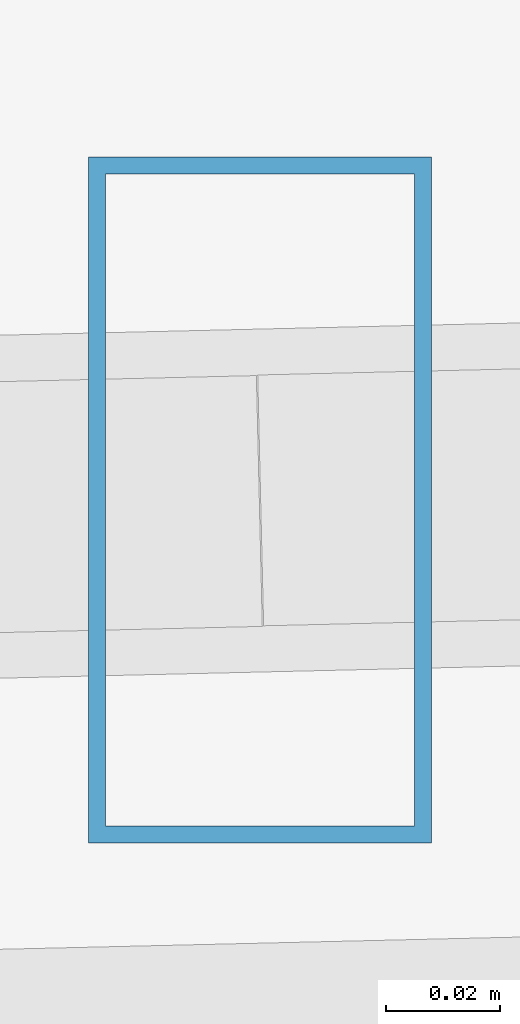
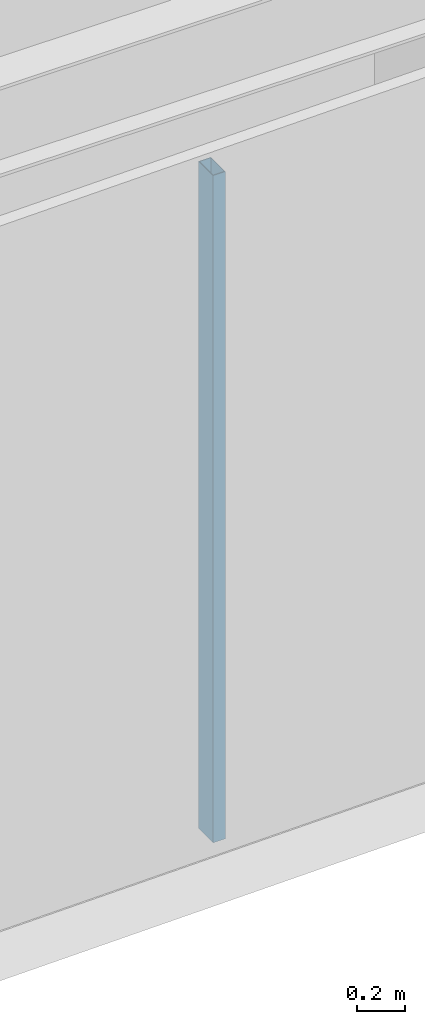
# One storey, part 13 of 47: 1 member, 1 element without a shape of its own.
"""IFC4 building model written with IfcOpenShell, lengths in metres."""

from ifc_helpers import new_model, si_unit, direction, frame, origin, origin_2d, place, context, subcontext, project, spatial, hollow_rectangle, extrude, source, transform, mapped, material, material_profile, profile_set, type_object, type_shapes, element, aggregate, save


model = new_model("IFC4")

# Units and contexts
model_context = context("Model", 3, precision=1e-05, world=origin(), true_north=direction((0.0, 1.0)))
body_context = subcontext(model_context, "Body", "Model", "MODEL_VIEW")
ifc_project = project(units=[si_unit("LENGTHUNIT", "METRE"), si_unit("AREAUNIT", "SQUARE_METRE"), si_unit("VOLUMEUNIT", "CUBIC_METRE"), si_unit("PLANEANGLEUNIT", "RADIAN"), si_unit("MASSUNIT", "GRAM", prefix="KILO")], contexts=[model_context])

# Site, building, storey
site_placement = place(None, origin())
site = spatial("IfcSite", under=ifc_project, at=site_placement, CompositionType="ELEMENT")
building_placement = place(site_placement, origin())
building = spatial("IfcBuilding", under=site, at=building_placement, Name="Caelisora Broadcast Tower", CompositionType="ELEMENT")
storey_placement = place(building_placement, frame((0.0, 0.0, 255.39990234375)))
storey = spatial("IfcBuildingStorey", under=building, at=storey_placement, Name="L67", CompositionType="ELEMENT", Elevation=255.39990234375)

# Curtain wall, member
ifc_material_1 = material(Name="Unitised Aluminium Insulated Shadow-Box Spandrel Curtain Wall", Category="aluminium")
curtain_wall_type = type_object("IfcCurtainWallType", Name="CW-SP3", PredefinedType="NOTDEFINED", material=ifc_material_1)
curtain_wall_placement = place(storey_placement, origin())
curtain_wall = element("IfcCurtainWall", 1, at=curtain_wall_placement, inside=storey, type_object=curtain_wall_type, Name="L67 curtain wall CW-SP3", PredefinedType="NOTDEFINED")
ifc_material_2 = material(Name="Aluminium 6063-T6 Anodised Terracotta Bronze", Category="aluminium")
ifc_material_profile = material_profile(ifc_material_2, hollow_rectangle(XDim=0.06005859375, YDim=0.1201171875, WallThickness=0.0029296875, at=origin_2d()), Name="Aluminium 6063-T6 Anodised Terracotta Bronze")
ifc_profile_set = profile_set([ifc_material_profile], Name="Aluminium 6063-T6 Anodised Terracotta Bronze")
member_type = type_object("IfcMemberType", Name="CWM-04", PredefinedType="MULLION", material=ifc_profile_set)
shared_shape = source(origin(), body_context, "Body", "SweptSolid", [
    extrude(hollow_rectangle(XDim=0.06005859375, YDim=0.1201171875, WallThickness=0.0029296875, at=origin_2d()), origin(), (0.0, 0.0, 1.0), 3.400146484375),
])
type_shapes(member_type, [shared_shape])
member_placement = place(storey_placement, frame((40.212890625, 8.3466796875, 0.0), z_axis=(0.0, 0.0, 1.0), x_axis=(1.0, 0.0, 0.0)))
member = element("IfcMember", 2, at=member_placement, type_object=member_type, Name="L67-CW-B06 mullion #1", PredefinedType="MULLION", context=body_context, shape_type="MappedRepresentation", body=[
    mapped(shared_shape, transform((0.0, 0.0, 0.0), scale=1.0)),
])
aggregate(curtain_wall, [member])

save(model, "model.ifc")
